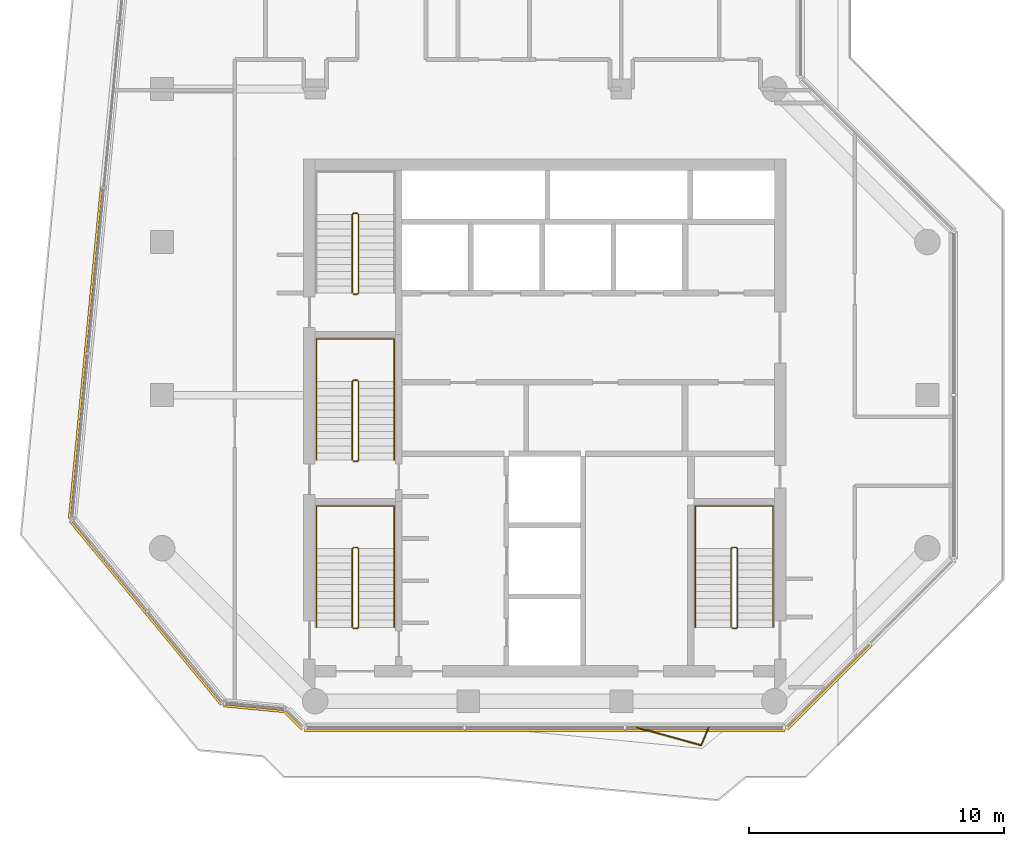
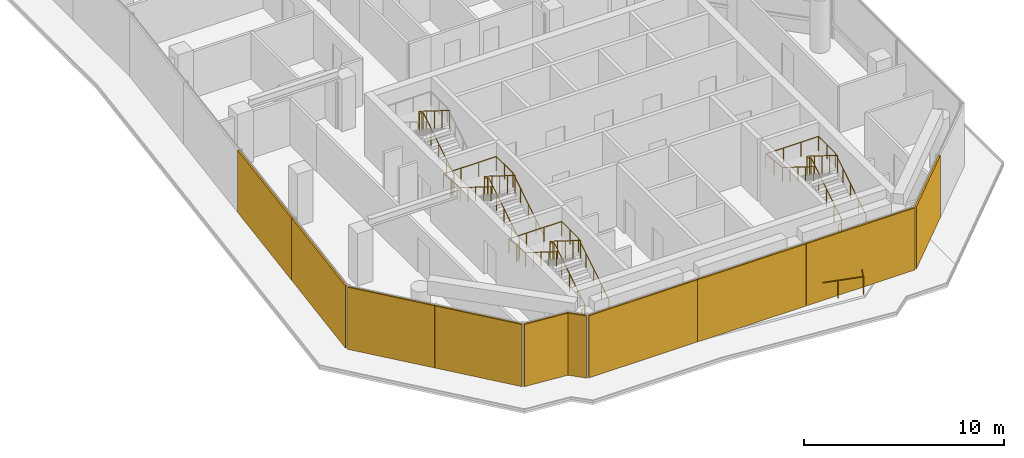
# One storey, part 12 of 13: 10 coverings, 8 railings.
"""IFC4 building model written with IfcOpenShell, lengths in metres."""

import ifcopenshell
import ifcopenshell.guid

model = None  # the IFC model being written
_history = None  # IfcOwnerHistory: only IFC2X3 demands one
_inside = {}  # id of a spatial element -> (the spatial element, [elements in it])
_under = {}  # id of a project, library or spatial element -> (it, [spatial elements below it])
_declared = {}  # id of a project -> (the project, [libraries it declares])
_typed = {}  # id of a type object -> (the type object, [elements of that type])
_made_of = {}  # id of a material, layer set ... -> (it, [elements and type objects made of it])


def new_model(schema):
    """Start an empty IFC model of exactly this schema.

    Asked for "IFC4X3", IfcOpenShell would pick the latest addendum, in which some entities
    have other attributes; the version numbers below select the first issue.
    IFC2X3 requires an IfcOwnerHistory on every rooted entity: one is made here for all.
    """
    global model, _history
    if schema == "IFC4X3":
        model = ifcopenshell.file(schema_version=(4, 3, 0, 0))
    else:
        model = ifcopenshell.file(schema=schema)
    _inside.clear()
    _under.clear()
    _declared.clear()
    _typed.clear()
    _made_of.clear()
    _history = None
    if model.schema == "IFC2X3":
        org = make("IfcOrganization", Name="unknown")
        user = make(
            "IfcPersonAndOrganization",
            ThePerson=make("IfcPerson", FamilyName="unknown"),
            TheOrganization=org,
        )
        app = make(
            "IfcApplication",
            ApplicationDeveloper=org,
            Version="unknown",
            ApplicationFullName="unknown",
            ApplicationIdentifier="unknown",
        )
        _history = make(
            "IfcOwnerHistory",
            OwningUser=user,
            OwningApplication=app,
            ChangeAction="ADDED",
            CreationDate=0,
        )
    return model


def make(cls, **values):
    """One entity of the class cls with the attributes given. An attribute that is None is left unset."""
    return model.create_entity(
        cls, **{name: value for name, value in values.items() if value is not None}
    )


def rooted(cls, **values):
    """An entity with a GlobalId (a new one), such as an element, a storey or a relation."""
    return make(cls, GlobalId=ifcopenshell.guid.new(), OwnerHistory=_history, **values)


def si_unit(unit_type, name, prefix=None):
    """IfcSIUnit, for example si_unit("LENGTHUNIT", "METRE", prefix="MILLI")."""
    return make("IfcSIUnit", UnitType=unit_type, Prefix=prefix, Name=name)


def assignment(units):
    """IfcUnitAssignment: the units of a project."""
    return None if units is None else make("IfcUnitAssignment", Units=units)


def point(xyz):
    """IfcCartesianPoint."""
    return None if xyz is None else make("IfcCartesianPoint", Coordinates=xyz)


def direction(xyz):
    """IfcDirection."""
    return None if xyz is None else make("IfcDirection", DirectionRatios=xyz)


def frame(location, z_axis=None, x_axis=None):
    """IfcAxis2Placement3D, a coordinate frame: its origin and axes. An axis left out is left unset."""
    return make(
        "IfcAxis2Placement3D",
        Location=point(location),
        Axis=direction(z_axis),
        RefDirection=direction(x_axis),
    )


def frame_2d(location, x_axis=None):
    """IfcAxis2Placement2D, a coordinate frame in the plane: its origin and x axis."""
    return make(
        "IfcAxis2Placement2D", Location=point(location), RefDirection=direction(x_axis)
    )


def origin():
    """The frame at (0, 0, 0) with its axes left unset."""
    return frame((0.0, 0.0, 0.0))


def origin_2d():
    """The frame at (0, 0) in the plane with its x axis left unset."""
    return frame_2d((0.0, 0.0))


def place(relative_to, where):
    """IfcLocalPlacement: puts the frame where relative to a parent placement (None: the world)."""
    return make(
        "IfcLocalPlacement", PlacementRelTo=relative_to, RelativePlacement=where
    )


def context(
    kind, dimensions, precision=None, world=None, true_north=None, identifier=None
):
    """IfcGeometricRepresentationContext, for example the 3D "Model" context."""
    return make(
        "IfcGeometricRepresentationContext",
        ContextIdentifier=identifier,
        ContextType=kind,
        CoordinateSpaceDimension=dimensions,
        Precision=precision,
        WorldCoordinateSystem=world,
        TrueNorth=true_north,
    )


def subcontext(parent, identifier, kind, view, scale=None):
    """IfcGeometricRepresentationSubContext, for example "Body" below "Model"."""
    return make(
        "IfcGeometricRepresentationSubContext",
        ContextIdentifier=identifier,
        ContextType=kind,
        ParentContext=parent,
        TargetScale=scale,
        TargetView=view,
    )


def project(units=None, contexts=None):
    """IfcProject with its units and contexts."""
    return rooted(
        "IfcProject",
        Name="project",
        RepresentationContexts=contexts,
        UnitsInContext=assignment(units),
    )


def spatial(cls, under=None, at=None, **own):
    """A site, building, storey or space (cls), placed at a placement, below another one or the project."""
    s = rooted(cls, ObjectPlacement=at, **own)
    if under is not None:
        _under.setdefault(under.id(), (under, []))[1].append(s)
    return s


def profile(cls, at=None, kind="AREA", **sizes):
    """A parametric profile (cls). Its sizes go by their IFC names, for example OverallWidth=200.0."""
    return make(cls, ProfileType=kind, Position=at, **sizes)


def rectangle(**sizes):
    """IfcRectangleProfileDef."""
    return profile("IfcRectangleProfileDef", **sizes)


def circle(**sizes):
    """IfcCircleProfileDef."""
    return profile("IfcCircleProfileDef", **sizes)


def extrude(swept, where, along, depth):
    """IfcExtrudedAreaSolid: the profile swept, set in the frame where, extruded along a direction by depth."""
    return make(
        "IfcExtrudedAreaSolid",
        SweptArea=swept,
        Position=where,
        ExtrudedDirection=direction(along),
        Depth=depth,
    )


def shape(context_of_items, identifier, shape_type, items):
    """IfcShapeRepresentation: the items that make up one representation, for example the "Body"."""
    return make(
        "IfcShapeRepresentation",
        ContextOfItems=context_of_items,
        RepresentationIdentifier=identifier,
        RepresentationType=shape_type,
        Items=items,
    )


def material(Name=None, Category=None):
    """IfcMaterial."""
    return make("IfcMaterial", Name=Name, Category=Category)


def layer(
    of_material, thickness, ventilated=None, Name=None, Category=None, Priority=None
):
    """IfcMaterialLayer: one layer of a wall or slab, of a material (None: an air gap)."""
    return make(
        "IfcMaterialLayer",
        Material=of_material,
        LayerThickness=thickness,
        IsVentilated=ventilated,
        Name=Name,
        Category=Category,
        Priority=Priority,
    )


def layer_set(layers, Name=None):
    """IfcMaterialLayerSet."""
    return make("IfcMaterialLayerSet", MaterialLayers=layers, LayerSetName=Name)


def made_of(thing, what):
    """Note that an element or type object is made of a material, layer set ...; save() writes the relation."""
    if what is not None:
        _made_of.setdefault(what.id(), (what, []))[1].append(thing)
    return thing


def type_object(cls, material=None, **own):
    """A type object (cls), such as IfcWallType, which elements share."""
    return made_of(rooted(cls, **own), material)


def element(
    cls,
    number,
    at=None,
    inside=None,
    cuts=None,
    type_object=None,
    material=None,
    context=None,
    identifier="Body",
    shape_type=None,
    held_by="IfcProductDefinitionShape",
    body=None,
    shapes=None,
    **own,
):
    """One element of the class cls, such as IfcWall. Its Tag is "e" and its number.

    at: its placement. inside: the storey or other place that contains it. cuts: it is an
    opening in that element (IfcRelVoidsElement). A single representation is given by context,
    identifier, shape_type and body (its items); several are given by shapes. held_by: the class
    of the entity that holds the representations. save() writes the other relations.
    """
    e = rooted(cls, Tag="e%d" % number, ObjectPlacement=at, **own)
    if body is not None:
        shapes = [shape(context, identifier, shape_type, body)]
    if shapes is not None:
        e.Representation = make(held_by, Representations=shapes)
    if inside is not None:
        _inside.setdefault(inside.id(), (inside, []))[1].append(e)
    if cuts is not None:
        rooted(
            "IfcRelVoidsElement", RelatingBuildingElement=cuts, RelatedOpeningElement=e
        )
    if type_object is not None:
        _typed.setdefault(type_object.id(), (type_object, []))[1].append(e)
    return made_of(e, material)


def aggregate(whole, parts):
    """IfcRelAggregates: a whole, such as a stair, and the parts it consists of."""
    return rooted("IfcRelAggregates", RelatingObject=whole, RelatedObjects=parts)


def save(model, path):
    """Write the relations noted so far, then the file.

    IfcRelAggregates (storeys below a building ...), IfcRelContainedInSpatialStructure (elements
    in a storey), IfcRelDefinesByType, IfcRelAssociatesMaterial and IfcRelDeclares: one each for
    every whole, place, type object, material and project.
    """
    for whole, parts in _under.values():
        aggregate(whole, parts)
    for where, things in _inside.values():
        rooted(
            "IfcRelContainedInSpatialStructure",
            RelatedElements=things,
            RelatingStructure=where,
        )
    for kind, things in _typed.values():
        rooted("IfcRelDefinesByType", RelatedObjects=things, RelatingType=kind)
    for what, things in _made_of.values():
        rooted("IfcRelAssociatesMaterial", RelatedObjects=things, RelatingMaterial=what)
    for by, libraries in _declared.values():
        rooted("IfcRelDeclares", RelatingContext=by, RelatedDefinitions=libraries)
    model.write(path)


model = new_model("IFC4")

# Units and contexts
model_context = context("Model", 3, precision=1e-05, world=origin(), true_north=direction((0.0, 1.0)))
body_context = subcontext(model_context, "Body", "Model", "MODEL_VIEW")
ifc_project = project(units=[si_unit("LENGTHUNIT", "METRE"), si_unit("AREAUNIT", "SQUARE_METRE"), si_unit("VOLUMEUNIT", "CUBIC_METRE"), si_unit("PLANEANGLEUNIT", "RADIAN"), si_unit("MASSUNIT", "GRAM", prefix="KILO")], contexts=[model_context])

# Site, building, storey
site_placement = place(None, origin())
site = spatial("IfcSite", under=ifc_project, at=site_placement, CompositionType="ELEMENT")
building_placement = place(site_placement, origin())
building = spatial("IfcBuilding", under=site, at=building_placement, Name="Welwitschia Terrace Campus", CompositionType="ELEMENT")
storey_placement = place(building_placement, frame((0.0, 0.0, 251.60009765625)))
storey = spatial("IfcBuildingStorey", under=building, at=storey_placement, Name="L56", CompositionType="ELEMENT", Elevation=251.60009765625)

# Coverings
ifc_material_1 = material(Name="Bronze mesh aluminium screen", Category="aluminium")
ifc_layer = layer(ifc_material_1, 0.090087890625)
ifc_layer_set = layer_set([ifc_layer], Name="Bronze mesh aluminium screen")
covering_type = type_object("IfcCoveringType", Name="Bronze screen 90 plant", PredefinedType="USERDEFINED", material=ifc_layer_set)
for number, where, z_axis, x_axis, name in (
    (1, (-2.697509765625, 20.885009765625, 0.0), (0.0, 0.0, 1.0), (-0.09584575252, -0.995396198367, 0.0), "Screen L56.1.2"),
    (2, (-3.322998046875, 14.3916015625, 0.0), (0.0, 0.0, 1.0), (-0.09584575252, -0.995396198367, 0.0), "Screen L56.1.3"),
):
    element("IfcCovering", number, at=place(storey_placement, frame(where, z_axis=z_axis, x_axis=x_axis)), inside=storey, type_object=covering_type, Name=name, ObjectType="SCREEN", PredefinedType="USERDEFINED", context=body_context, shape_type="SweptSolid", body=[
        extrude(rectangle(XDim=6.50341796875, YDim=0.090087890625, at=origin_2d()), origin(), (0.0, 0.0, 1.0), 3.800048828125),
    ])
for number, where, z_axis, x_axis, name in (
    (3, (-2.126953125, 9.2666015625, 0.0), (0.0, 0.0, 1.0), (0.636078220278, -0.771624583388, 0.0), "Screen L56.2.0"),
    (4, (0.843017578125, 5.66357421875, 0.0), (0.0, 0.0, 1.0), (0.636078220278, -0.771624583388, 0.0), "Screen L56.2.1"),
):
    element("IfcCovering", number, at=place(storey_placement, frame(where, z_axis=z_axis, x_axis=x_axis)), inside=storey, type_object=covering_type, Name=name, ObjectType="SCREEN", PredefinedType="USERDEFINED", context=body_context, shape_type="SweptSolid", body=[
        extrude(rectangle(XDim=4.6494140625, YDim=0.090087890625, at=origin_2d()), origin(), (0.0, 0.0, 1.0), 3.800048828125),
    ])
covering_1_placement = place(storey_placement, frame((3.619140625, 3.706787109375, 0.0), z_axis=(0.0, 0.0, 1.0), x_axis=(0.995396198367, -0.09584575252, 0.0)))
element("IfcCovering", 5, at=covering_1_placement, inside=storey, type_object=covering_type, Name="Screen L56.3.0", ObjectType="SCREEN", PredefinedType="USERDEFINED", context=body_context, shape_type="SweptSolid", body=[
    extrude(rectangle(XDim=2.431640625, YDim=0.090087890625, at=origin_2d()), origin(), (0.0, 0.0, 1.0), 3.800048828125),
])
covering_2_placement = place(storey_placement, frame((5.13720703125, 3.2578125, 0.0), z_axis=(0.0, 0.0, 1.0), x_axis=(0.707106781187, -0.707106781187, 0.0)))
element("IfcCovering", 6, at=covering_2_placement, inside=storey, type_object=covering_type, Name="Screen L56.4.0", ObjectType="SCREEN", PredefinedType="USERDEFINED", context=body_context, shape_type="SweptSolid", body=[
    extrude(rectangle(XDim=1.00390625, YDim=0.090087890625, at=origin_2d()), origin(), (0.0, 0.0, 1.0), 3.800048828125),
])
for number, where, z_axis, x_axis, name in (
    (7, (8.715576171875, 2.864990234375, 0.0), (0.0, 0.0, 1.0), (1.0, 0.0, 0.0), "Screen L56.5.0"),
    (8, (15.0, 2.864990234375, 0.0), (0.0, 0.0, 1.0), (1.0, 0.0, 0.0), "Screen L56.5.1"),
    (9, (21.284423828125, 2.864990234375, 0.0), (0.0, 0.0, 1.0), (1.0, 0.0, 0.0), "Screen L56.5.2"),
):
    element("IfcCovering", number, at=place(storey_placement, frame(where, z_axis=z_axis, x_axis=x_axis)), inside=storey, type_object=covering_type, Name=name, ObjectType="SCREEN", PredefinedType="USERDEFINED", context=body_context, shape_type="SweptSolid", body=[
        extrude(rectangle(XDim=6.264404296875, YDim=0.090087890625, at=origin_2d()), origin(), (0.0, 0.0, 1.0), 3.800048828125),
    ])
covering_3_placement = place(storey_placement, frame((26.151611328125, 4.546630859375, 0.0), z_axis=(0.0, 0.0, 1.0), x_axis=(0.707106781187, 0.707106781187, 0.0)))
element("IfcCovering", 10, at=covering_3_placement, inside=storey, type_object=covering_type, Name="Screen L56.6.0", ObjectType="SCREEN", PredefinedType="USERDEFINED", context=body_context, shape_type="SweptSolid", body=[
    extrude(rectangle(XDim=4.6494140625, YDim=0.090087890625, at=origin_2d()), origin(), (0.0, 0.0, 1.0), 3.800048828125),
])

# Railings
ifc_material_2 = material(Name="Stainless steel grade 316", Category="steel")
railing_type_1 = type_object("IfcRailingType", Name="Guard 1100", PredefinedType="GUARDRAIL", material=ifc_material_2)
railing_1_placement = place(storey_placement, frame((21.422607421875, 2.969970703125, 0.0)))
element("IfcRailing", 11, at=railing_1_placement, inside=storey, type_object=railing_type_1, Name="Guard floor edge L56.1", PredefinedType="GUARDRAIL", context=body_context, shape_type="SweptSolid", body=[
    extrude(circle(Radius=0.02392578125, at=origin_2d()), frame((0.0, 0.0, 1.076171875), z_axis=(-0.39109943787, -0.920348428421, 0.0), x_axis=(0.920348428421, -0.39109943787, 0.0)), (0.0, 0.0, 1.0), 0.7529296875),
    extrude(circle(Radius=0.02392578125, at=origin_2d()), frame((-0.29443359375, -0.69287109375, 1.076171875), z_axis=(-0.964270993401, 0.264917819871, 0.0), x_axis=(-0.264917819871, -0.964270993401, 0.0)), (0.0, 0.0, 1.0), 2.615478515625),
    extrude(circle(Radius=0.02099609375, at=origin_2d()), origin(), (0.0, 0.0, 1.0), 1.052001953125),
    extrude(circle(Radius=0.02099609375, at=origin_2d()), frame((-0.29443359375, -0.69287109375, 0.0)), (0.0, 0.0, 1.0), 1.052001953125),
    extrude(circle(Radius=0.02099609375, at=origin_2d()), frame((-1.555419921875, -0.346435546875, 0.0)), (0.0, 0.0, 1.0), 1.052001953125),
    extrude(circle(Radius=0.02099609375, at=origin_2d()), frame((-2.81640625, 0.0, 0.0)), (0.0, 0.0, 1.0), 1.052001953125),
])
ifc_material_3 = material(Name="Steel S355", Category="steel")
railing_type_2 = type_object("IfcRailingType", Name="Stair guard 1100", PredefinedType="GUARDRAIL", material=ifc_material_3)
railing_2_placement = place(storey_placement, frame((7.5, 6.85009765625, 0.0)))
element("IfcRailing", 12, at=railing_2_placement, inside=storey, type_object=railing_type_2, Name="L56 S1 stair guard", PredefinedType="GUARDRAIL", context=body_context, shape_type="SweptSolid", body=[
    extrude(circle(Radius=0.02392578125, at=origin_2d()), frame((0.0, 0.0, 1.076171875), z_axis=(1.0, 0.0, 0.0), x_axis=(0.0, 1.0, 0.0)), (0.0, 0.0, 1.0), 0.14990234375),
    extrude(circle(Radius=0.02392578125, at=origin_2d()), frame((0.14990234375, 0.0, 1.076171875), z_axis=(0.265474339444, 0.264179342666, 0.927217692888), x_axis=(-0.705375805398, 0.708833529934, 0.0)), (0.0, 0.0, 1.0), 0.1884765625),
    extrude(circle(Radius=0.02392578125, at=origin_2d()), frame((0.199951171875, 0.0498046875, 1.2509765625), z_axis=(0.0, 0.847998304005, 0.529998940003), x_axis=(-1.0, 0.0, 0.0)), (0.0, 0.0, 1.0), 3.632080078125),
    extrude(circle(Radius=0.02392578125, at=origin_2d()), frame((0.199951171875, 3.1298828125, 3.17578125), z_axis=(-0.707106781187, 0.707106781187, 0.0), x_axis=(-0.707106781187, -0.707106781187, 0.0)), (0.0, 0.0, 1.0), 0.07080078125),
    extrude(circle(Radius=0.02392578125, at=origin_2d()), frame((0.14990234375, 3.179931640625, 3.17578125), z_axis=(-1.0, 0.0, 0.0), x_axis=(0.0, -1.0, 0.0)), (0.0, 0.0, 1.0), 0.14990234375),
    extrude(circle(Radius=0.02392578125, at=origin_2d()), frame((0.0, 3.179931640625, 3.17578125), z_axis=(-0.265065253269, -0.265065253269, 0.927081885822), x_axis=(0.707106781187, -0.707106781187, 0.0)), (0.0, 0.0, 1.0), 0.188720703125),
    extrude(circle(Radius=0.02392578125, at=origin_2d()), frame((-0.050048828125, 3.1298828125, 3.35107421875), z_axis=(0.0, -0.847998304005, 0.529998940003), x_axis=(1.0, 0.0, 0.0)), (0.0, 0.0, 1.0), 3.632080078125),
    extrude(circle(Radius=0.02099609375, at=origin_2d()), origin(), (0.0, 0.0, 1.0), 1.052001953125),
    extrude(circle(Radius=0.02099609375, at=origin_2d()), frame((0.14990234375, 0.0, 0.0)), (0.0, 0.0, 1.0), 1.052001953125),
    extrude(circle(Radius=0.02099609375, at=origin_2d()), frame((0.199951171875, 0.0498046875, 0.1748046875)), (0.0, 0.0, 1.0), 1.052001953125),
    extrude(circle(Radius=0.02099609375, at=origin_2d()), frame((0.199951171875, 0.81982421875, 0.656005859375)), (0.0, 0.0, 1.0), 1.052001953125),
    extrude(circle(Radius=0.02099609375, at=origin_2d()), frame((0.199951171875, 1.58984375, 1.13720703125)), (0.0, 0.0, 1.0), 1.052001953125),
    extrude(circle(Radius=0.02099609375, at=origin_2d()), frame((0.199951171875, 2.35986328125, 1.61865234375)), (0.0, 0.0, 1.0), 1.052001953125),
    extrude(circle(Radius=0.02099609375, at=origin_2d()), frame((0.199951171875, 3.1298828125, 2.099853515625)), (0.0, 0.0, 1.0), 1.052001953125),
    extrude(circle(Radius=0.02099609375, at=origin_2d()), frame((0.14990234375, 3.179931640625, 2.099853515625)), (0.0, 0.0, 1.0), 1.052001953125),
    extrude(circle(Radius=0.02099609375, at=origin_2d()), frame((0.0, 3.179931640625, 2.099853515625)), (0.0, 0.0, 1.0), 1.052001953125),
    extrude(circle(Radius=0.02099609375, at=origin_2d()), frame((-0.050048828125, 3.1298828125, 2.27490234375)), (0.0, 0.0, 1.0), 1.052001953125),
    extrude(circle(Radius=0.02099609375, at=origin_2d()), frame((-0.050048828125, 2.35986328125, 2.756103515625)), (0.0, 0.0, 1.0), 1.052001953125),
    extrude(circle(Radius=0.02099609375, at=origin_2d()), frame((-0.050048828125, 1.58984375, 3.2373046875)), (0.0, 0.0, 1.0), 1.052001953125),
    extrude(circle(Radius=0.02099609375, at=origin_2d()), frame((-0.050048828125, 0.81982421875, 3.71875)), (0.0, 0.0, 1.0), 1.052001953125),
    extrude(circle(Radius=0.02099609375, at=origin_2d()), frame((-0.050048828125, 0.0498046875, 4.199951171875)), (0.0, 0.0, 1.0), 1.052001953125),
])
railing_3_placement = place(storey_placement, frame((7.5, 13.39990234375, 0.0)))
element("IfcRailing", 13, at=railing_3_placement, inside=storey, type_object=railing_type_2, Name="L56 S3 stair guard", PredefinedType="GUARDRAIL", context=body_context, shape_type="SweptSolid", body=[
    extrude(circle(Radius=0.02392578125, at=origin_2d()), frame((0.0, 0.0, 1.076171875), z_axis=(1.0, 0.0, 0.0), x_axis=(0.0, 1.0, 0.0)), (0.0, 0.0, 1.0), 0.14990234375),
    extrude(circle(Radius=0.02392578125, at=origin_2d()), frame((0.14990234375, 0.0, 1.076171875), z_axis=(0.265383341853, 0.265383341853, 0.926899867156), x_axis=(-0.707106781187, 0.707106781187, 0.0)), (0.0, 0.0, 1.0), 0.1884765625),
    extrude(circle(Radius=0.02392578125, at=origin_2d()), frame((0.199951171875, 0.050048828125, 1.2509765625), z_axis=(0.0, 0.847998304005, 0.529998940003), x_axis=(-1.0, 0.0, 0.0)), (0.0, 0.0, 1.0), 3.632080078125),
    extrude(circle(Radius=0.02392578125, at=origin_2d()), frame((0.199951171875, 3.130126953125, 3.17578125), z_axis=(-0.707106781187, 0.707106781187, 0.0), x_axis=(-0.707106781187, -0.707106781187, 0.0)), (0.0, 0.0, 1.0), 0.07080078125),
    extrude(circle(Radius=0.02392578125, at=origin_2d()), frame((0.14990234375, 3.18017578125, 3.17578125), z_axis=(-1.0, 0.0, 0.0), x_axis=(0.0, -1.0, 0.0)), (0.0, 0.0, 1.0), 0.14990234375),
    extrude(circle(Radius=0.02392578125, at=origin_2d()), frame((0.0, 3.18017578125, 3.17578125), z_axis=(-0.265065253269, -0.265065253269, 0.927081885822), x_axis=(0.707106781187, -0.707106781187, 0.0)), (0.0, 0.0, 1.0), 0.188720703125),
    extrude(circle(Radius=0.02392578125, at=origin_2d()), frame((-0.050048828125, 3.130126953125, 3.35107421875), z_axis=(0.0, -0.847998304005, 0.529998940003), x_axis=(1.0, 0.0, 0.0)), (0.0, 0.0, 1.0), 3.632080078125),
    extrude(circle(Radius=0.02099609375, at=origin_2d()), origin(), (0.0, 0.0, 1.0), 1.052001953125),
    extrude(circle(Radius=0.02099609375, at=origin_2d()), frame((0.14990234375, 0.0, 0.0)), (0.0, 0.0, 1.0), 1.052001953125),
    extrude(circle(Radius=0.02099609375, at=origin_2d()), frame((0.199951171875, 0.050048828125, 0.1748046875)), (0.0, 0.0, 1.0), 1.052001953125),
    extrude(circle(Radius=0.02099609375, at=origin_2d()), frame((0.199951171875, 0.820068359375, 0.656005859375)), (0.0, 0.0, 1.0), 1.052001953125),
    extrude(circle(Radius=0.02099609375, at=origin_2d()), frame((0.199951171875, 1.590087890625, 1.13720703125)), (0.0, 0.0, 1.0), 1.052001953125),
    extrude(circle(Radius=0.02099609375, at=origin_2d()), frame((0.199951171875, 2.360107421875, 1.61865234375)), (0.0, 0.0, 1.0), 1.052001953125),
    extrude(circle(Radius=0.02099609375, at=origin_2d()), frame((0.199951171875, 3.130126953125, 2.099853515625)), (0.0, 0.0, 1.0), 1.052001953125),
    extrude(circle(Radius=0.02099609375, at=origin_2d()), frame((0.14990234375, 3.18017578125, 2.099853515625)), (0.0, 0.0, 1.0), 1.052001953125),
    extrude(circle(Radius=0.02099609375, at=origin_2d()), frame((0.0, 3.18017578125, 2.099853515625)), (0.0, 0.0, 1.0), 1.052001953125),
    extrude(circle(Radius=0.02099609375, at=origin_2d()), frame((-0.050048828125, 3.130126953125, 2.27490234375)), (0.0, 0.0, 1.0), 1.052001953125),
    extrude(circle(Radius=0.02099609375, at=origin_2d()), frame((-0.050048828125, 2.360107421875, 2.756103515625)), (0.0, 0.0, 1.0), 1.052001953125),
    extrude(circle(Radius=0.02099609375, at=origin_2d()), frame((-0.050048828125, 1.590087890625, 3.2373046875)), (0.0, 0.0, 1.0), 1.052001953125),
    extrude(circle(Radius=0.02099609375, at=origin_2d()), frame((-0.050048828125, 0.820068359375, 3.71875)), (0.0, 0.0, 1.0), 1.052001953125),
    extrude(circle(Radius=0.02099609375, at=origin_2d()), frame((-0.050048828125, 0.050048828125, 4.199951171875)), (0.0, 0.0, 1.0), 1.052001953125),
])
railing_4_placement = place(storey_placement, frame((7.5, 19.949951171875, 0.0)))
element("IfcRailing", 14, at=railing_4_placement, inside=storey, type_object=railing_type_2, Name="L56 S4 stair guard", PredefinedType="GUARDRAIL", context=body_context, shape_type="SweptSolid", body=[
    extrude(circle(Radius=0.02392578125, at=origin_2d()), frame((0.0, 0.0, 1.076171875), z_axis=(1.0, 0.0, 0.0), x_axis=(0.0, 1.0, 0.0)), (0.0, 0.0, 1.0), 0.14990234375),
    extrude(circle(Radius=0.02392578125, at=origin_2d()), frame((0.14990234375, 0.0, 1.076171875), z_axis=(0.265383341853, 0.265383341853, 0.926899867156), x_axis=(-0.707106781187, 0.707106781187, 0.0)), (0.0, 0.0, 1.0), 0.1884765625),
    extrude(circle(Radius=0.02392578125, at=origin_2d()), frame((0.199951171875, 0.050048828125, 1.2509765625), z_axis=(0.0, 0.847998304005, 0.529998940003), x_axis=(-1.0, 0.0, 0.0)), (0.0, 0.0, 1.0), 3.632080078125),
    extrude(circle(Radius=0.02392578125, at=origin_2d()), frame((0.199951171875, 3.130126953125, 3.17578125), z_axis=(-0.708833529934, 0.705375805398, 0.0), x_axis=(-0.705375805398, -0.708833529934, 0.0)), (0.0, 0.0, 1.0), 0.070556640625),
    extrude(circle(Radius=0.02392578125, at=origin_2d()), frame((0.14990234375, 3.179931640625, 3.17578125), z_axis=(-1.0, 0.0, 0.0), x_axis=(0.0, -1.0, 0.0)), (0.0, 0.0, 1.0), 0.14990234375),
    extrude(circle(Radius=0.02392578125, at=origin_2d()), frame((0.0, 3.179931640625, 3.17578125), z_axis=(-0.265155923931, -0.263862480399, 0.927399011991), x_axis=(0.705375805398, -0.708833529934, 0.0)), (0.0, 0.0, 1.0), 0.188720703125),
    extrude(circle(Radius=0.02392578125, at=origin_2d()), frame((-0.050048828125, 3.130126953125, 3.35107421875), z_axis=(0.0, -0.847998304005, 0.529998940003), x_axis=(1.0, 0.0, 0.0)), (0.0, 0.0, 1.0), 3.632080078125),
    extrude(circle(Radius=0.02099609375, at=origin_2d()), origin(), (0.0, 0.0, 1.0), 1.052001953125),
    extrude(circle(Radius=0.02099609375, at=origin_2d()), frame((0.14990234375, 0.0, 0.0)), (0.0, 0.0, 1.0), 1.052001953125),
    extrude(circle(Radius=0.02099609375, at=origin_2d()), frame((0.199951171875, 0.050048828125, 0.1748046875)), (0.0, 0.0, 1.0), 1.052001953125),
    extrude(circle(Radius=0.02099609375, at=origin_2d()), frame((0.199951171875, 0.820068359375, 0.656005859375)), (0.0, 0.0, 1.0), 1.052001953125),
    extrude(circle(Radius=0.02099609375, at=origin_2d()), frame((0.199951171875, 1.590087890625, 1.13720703125)), (0.0, 0.0, 1.0), 1.052001953125),
    extrude(circle(Radius=0.02099609375, at=origin_2d()), frame((0.199951171875, 2.360107421875, 1.61865234375)), (0.0, 0.0, 1.0), 1.052001953125),
    extrude(circle(Radius=0.02099609375, at=origin_2d()), frame((0.199951171875, 3.130126953125, 2.099853515625)), (0.0, 0.0, 1.0), 1.052001953125),
    extrude(circle(Radius=0.02099609375, at=origin_2d()), frame((0.14990234375, 3.179931640625, 2.099853515625)), (0.0, 0.0, 1.0), 1.052001953125),
    extrude(circle(Radius=0.02099609375, at=origin_2d()), frame((0.0, 3.179931640625, 2.099853515625)), (0.0, 0.0, 1.0), 1.052001953125),
    extrude(circle(Radius=0.02099609375, at=origin_2d()), frame((-0.050048828125, 3.130126953125, 2.27490234375)), (0.0, 0.0, 1.0), 1.052001953125),
    extrude(circle(Radius=0.02099609375, at=origin_2d()), frame((-0.050048828125, 2.360107421875, 2.756103515625)), (0.0, 0.0, 1.0), 1.052001953125),
    extrude(circle(Radius=0.02099609375, at=origin_2d()), frame((-0.050048828125, 1.590087890625, 3.2373046875)), (0.0, 0.0, 1.0), 1.052001953125),
    extrude(circle(Radius=0.02099609375, at=origin_2d()), frame((-0.050048828125, 0.820068359375, 3.71875)), (0.0, 0.0, 1.0), 1.052001953125),
    extrude(circle(Radius=0.02099609375, at=origin_2d()), frame((-0.050048828125, 0.050048828125, 4.199951171875)), (0.0, 0.0, 1.0), 1.052001953125),
])
railing_5_placement = place(storey_placement, frame((22.35009765625, 6.85009765625, 0.0)))
element("IfcRailing", 15, at=railing_5_placement, inside=storey, type_object=railing_type_2, Name="L56 S2 stair guard", PredefinedType="GUARDRAIL", context=body_context, shape_type="SweptSolid", body=[
    extrude(circle(Radius=0.02392578125, at=origin_2d()), frame((0.0, 0.0, 1.076171875), z_axis=(1.0, 0.0, 0.0), x_axis=(0.0, 1.0, 0.0)), (0.0, 0.0, 1.0), 0.14990234375),
    extrude(circle(Radius=0.02392578125, at=origin_2d()), frame((0.14990234375, 0.0, 1.076171875), z_axis=(0.265474339444, 0.264179342666, 0.927217692888), x_axis=(-0.705375805398, 0.708833529934, 0.0)), (0.0, 0.0, 1.0), 0.1884765625),
    extrude(circle(Radius=0.02392578125, at=origin_2d()), frame((0.199951171875, 0.0498046875, 1.2509765625), z_axis=(0.0, 0.847998304005, 0.529998940003), x_axis=(-1.0, 0.0, 0.0)), (0.0, 0.0, 1.0), 3.632080078125),
    extrude(circle(Radius=0.02392578125, at=origin_2d()), frame((0.199951171875, 3.1298828125, 3.17578125), z_axis=(-0.707106781187, 0.707106781187, 0.0), x_axis=(-0.707106781187, -0.707106781187, 0.0)), (0.0, 0.0, 1.0), 0.07080078125),
    extrude(circle(Radius=0.02392578125, at=origin_2d()), frame((0.14990234375, 3.179931640625, 3.17578125), z_axis=(-1.0, 0.0, 0.0), x_axis=(0.0, -1.0, 0.0)), (0.0, 0.0, 1.0), 0.14990234375),
    extrude(circle(Radius=0.02392578125, at=origin_2d()), frame((0.0, 3.179931640625, 3.17578125), z_axis=(-0.265065253269, -0.265065253269, 0.927081885822), x_axis=(0.707106781187, -0.707106781187, 0.0)), (0.0, 0.0, 1.0), 0.188720703125),
    extrude(circle(Radius=0.02392578125, at=origin_2d()), frame((-0.050048828125, 3.1298828125, 3.35107421875), z_axis=(0.0, -0.847998304005, 0.529998940003), x_axis=(1.0, 0.0, 0.0)), (0.0, 0.0, 1.0), 3.632080078125),
    extrude(circle(Radius=0.02099609375, at=origin_2d()), origin(), (0.0, 0.0, 1.0), 1.052001953125),
    extrude(circle(Radius=0.02099609375, at=origin_2d()), frame((0.14990234375, 0.0, 0.0)), (0.0, 0.0, 1.0), 1.052001953125),
    extrude(circle(Radius=0.02099609375, at=origin_2d()), frame((0.199951171875, 0.0498046875, 0.1748046875)), (0.0, 0.0, 1.0), 1.052001953125),
    extrude(circle(Radius=0.02099609375, at=origin_2d()), frame((0.199951171875, 0.81982421875, 0.656005859375)), (0.0, 0.0, 1.0), 1.052001953125),
    extrude(circle(Radius=0.02099609375, at=origin_2d()), frame((0.199951171875, 1.58984375, 1.13720703125)), (0.0, 0.0, 1.0), 1.052001953125),
    extrude(circle(Radius=0.02099609375, at=origin_2d()), frame((0.199951171875, 2.35986328125, 1.61865234375)), (0.0, 0.0, 1.0), 1.052001953125),
    extrude(circle(Radius=0.02099609375, at=origin_2d()), frame((0.199951171875, 3.1298828125, 2.099853515625)), (0.0, 0.0, 1.0), 1.052001953125),
    extrude(circle(Radius=0.02099609375, at=origin_2d()), frame((0.14990234375, 3.179931640625, 2.099853515625)), (0.0, 0.0, 1.0), 1.052001953125),
    extrude(circle(Radius=0.02099609375, at=origin_2d()), frame((0.0, 3.179931640625, 2.099853515625)), (0.0, 0.0, 1.0), 1.052001953125),
    extrude(circle(Radius=0.02099609375, at=origin_2d()), frame((-0.050048828125, 3.1298828125, 2.27490234375)), (0.0, 0.0, 1.0), 1.052001953125),
    extrude(circle(Radius=0.02099609375, at=origin_2d()), frame((-0.050048828125, 2.35986328125, 2.756103515625)), (0.0, 0.0, 1.0), 1.052001953125),
    extrude(circle(Radius=0.02099609375, at=origin_2d()), frame((-0.050048828125, 1.58984375, 3.2373046875)), (0.0, 0.0, 1.0), 1.052001953125),
    extrude(circle(Radius=0.02099609375, at=origin_2d()), frame((-0.050048828125, 0.81982421875, 3.71875)), (0.0, 0.0, 1.0), 1.052001953125),
    extrude(circle(Radius=0.02099609375, at=origin_2d()), frame((-0.050048828125, 0.0498046875, 4.199951171875)), (0.0, 0.0, 1.0), 1.052001953125),
])
ifc_material_4 = material(Name="Steel S355", Category="steel")
railing_type_3 = type_object("IfcRailingType", Name="Stair handrail 900", PredefinedType="HANDRAIL", material=ifc_material_4)
railing_6_placement = place(storey_placement, frame((9.10009765625, 6.89990234375, 0.1748046875)))
element("IfcRailing", 16, at=railing_6_placement, inside=storey, type_object=railing_type_3, Name="L56 S1 stair handrail", PredefinedType="HANDRAIL", context=body_context, shape_type="SweptSolid", body=[
    extrude(circle(Radius=0.02392578125, at=origin_2d()), frame((0.0, 0.0, 0.8759765625), z_axis=(0.0, 0.847998304005, 0.529998940003), x_axis=(-1.0, 0.0, 0.0)), (0.0, 0.0, 1.0), 3.632080078125),
    extrude(circle(Radius=0.02392578125, at=origin_2d()), frame((0.0, 3.080078125, 2.80078125), z_axis=(0.0, 1.0, 0.0), x_axis=(-1.0, 0.0, 0.0)), (0.0, 0.0, 1.0), 1.669921875),
    extrude(circle(Radius=0.02392578125, at=origin_2d()), frame((0.0, 4.75, 2.80078125), z_axis=(-1.0, 0.0, 0.0), x_axis=(0.0, -1.0, 0.0)), (0.0, 0.0, 1.0), 3.050048828125),
    extrude(circle(Radius=0.02392578125, at=origin_2d()), frame((-3.050048828125, 4.75, 2.80078125), z_axis=(0.0, -0.99455077262, 0.104253348533), x_axis=(1.0, 0.0, 0.0)), (0.0, 0.0, 1.0), 1.678955078125),
    extrude(circle(Radius=0.02392578125, at=origin_2d()), frame((-3.050048828125, 3.080078125, 2.97607421875), z_axis=(0.0, -0.847998304005, 0.529998940003), x_axis=(1.0, 0.0, 0.0)), (0.0, 0.0, 1.0), 3.632080078125),
    extrude(circle(Radius=0.02099609375, at=origin_2d()), origin(), (0.0, 0.0, 1.0), 0.851806640625),
    extrude(circle(Radius=0.02099609375, at=origin_2d()), frame((0.0, 0.77001953125, 0.481201171875)), (0.0, 0.0, 1.0), 0.851806640625),
    extrude(circle(Radius=0.02099609375, at=origin_2d()), frame((0.0, 1.5400390625, 0.96240234375)), (0.0, 0.0, 1.0), 0.851806640625),
    extrude(circle(Radius=0.02099609375, at=origin_2d()), frame((0.0, 2.31005859375, 1.44384765625)), (0.0, 0.0, 1.0), 0.851806640625),
    extrude(circle(Radius=0.02099609375, at=origin_2d()), frame((0.0, 3.080078125, 1.925048828125)), (0.0, 0.0, 1.0), 0.851806640625),
    extrude(circle(Radius=0.02099609375, at=origin_2d()), frame((0.0, 3.9150390625, 1.925048828125)), (0.0, 0.0, 1.0), 0.851806640625),
    extrude(circle(Radius=0.02099609375, at=origin_2d()), frame((0.0, 4.75, 1.925048828125)), (0.0, 0.0, 1.0), 0.851806640625),
    extrude(circle(Radius=0.02099609375, at=origin_2d()), frame((-1.0166015625, 4.75, 1.925048828125)), (0.0, 0.0, 1.0), 0.851806640625),
    extrude(circle(Radius=0.02099609375, at=origin_2d()), frame((-2.033447265625, 4.75, 1.925048828125)), (0.0, 0.0, 1.0), 0.851806640625),
    extrude(circle(Radius=0.02099609375, at=origin_2d()), frame((-3.050048828125, 4.75, 1.925048828125)), (0.0, 0.0, 1.0), 0.851806640625),
    extrude(circle(Radius=0.02099609375, at=origin_2d()), frame((-3.050048828125, 3.9150390625, 2.0126953125)), (0.0, 0.0, 1.0), 0.851806640625),
    extrude(circle(Radius=0.02099609375, at=origin_2d()), frame((-3.050048828125, 3.080078125, 2.10009765625)), (0.0, 0.0, 1.0), 0.851806640625),
    extrude(circle(Radius=0.02099609375, at=origin_2d()), frame((-3.050048828125, 2.31005859375, 2.581298828125)), (0.0, 0.0, 1.0), 0.851806640625),
    extrude(circle(Radius=0.02099609375, at=origin_2d()), frame((-3.050048828125, 1.5400390625, 3.0625)), (0.0, 0.0, 1.0), 0.851806640625),
    extrude(circle(Radius=0.02099609375, at=origin_2d()), frame((-3.050048828125, 0.77001953125, 3.5439453125)), (0.0, 0.0, 1.0), 0.851806640625),
    extrude(circle(Radius=0.02099609375, at=origin_2d()), frame((-3.050048828125, 0.0, 4.025146484375)), (0.0, 0.0, 1.0), 0.851806640625),
])
railing_7_placement = place(storey_placement, frame((9.10009765625, 13.449951171875, 0.1748046875)))
element("IfcRailing", 17, at=railing_7_placement, inside=storey, type_object=railing_type_3, Name="L56 S3 stair handrail", PredefinedType="HANDRAIL", context=body_context, shape_type="SweptSolid", body=[
    extrude(circle(Radius=0.02392578125, at=origin_2d()), frame((0.0, 0.0, 0.8759765625), z_axis=(0.0, 0.847998304005, 0.529998940003), x_axis=(-1.0, 0.0, 0.0)), (0.0, 0.0, 1.0), 3.632080078125),
    extrude(circle(Radius=0.02392578125, at=origin_2d()), frame((0.0, 3.080078125, 2.80078125), z_axis=(0.0, 1.0, 0.0), x_axis=(-1.0, 0.0, 0.0)), (0.0, 0.0, 1.0), 1.669921875),
    extrude(circle(Radius=0.02392578125, at=origin_2d()), frame((0.0, 4.75, 2.80078125), z_axis=(-1.0, 0.0, 0.0), x_axis=(0.0, -1.0, 0.0)), (0.0, 0.0, 1.0), 3.050048828125),
    extrude(circle(Radius=0.02392578125, at=origin_2d()), frame((-3.050048828125, 4.75, 2.80078125), z_axis=(0.0, -0.99455077262, 0.104253348533), x_axis=(1.0, 0.0, 0.0)), (0.0, 0.0, 1.0), 1.678955078125),
    extrude(circle(Radius=0.02392578125, at=origin_2d()), frame((-3.050048828125, 3.080078125, 2.97607421875), z_axis=(0.0, -0.847998304005, 0.529998940003), x_axis=(1.0, 0.0, 0.0)), (0.0, 0.0, 1.0), 3.632080078125),
    extrude(circle(Radius=0.02099609375, at=origin_2d()), origin(), (0.0, 0.0, 1.0), 0.851806640625),
    extrude(circle(Radius=0.02099609375, at=origin_2d()), frame((0.0, 0.77001953125, 0.481201171875)), (0.0, 0.0, 1.0), 0.851806640625),
    extrude(circle(Radius=0.02099609375, at=origin_2d()), frame((0.0, 1.5400390625, 0.96240234375)), (0.0, 0.0, 1.0), 0.851806640625),
    extrude(circle(Radius=0.02099609375, at=origin_2d()), frame((0.0, 2.31005859375, 1.44384765625)), (0.0, 0.0, 1.0), 0.851806640625),
    extrude(circle(Radius=0.02099609375, at=origin_2d()), frame((0.0, 3.080078125, 1.925048828125)), (0.0, 0.0, 1.0), 0.851806640625),
    extrude(circle(Radius=0.02099609375, at=origin_2d()), frame((0.0, 3.9150390625, 1.925048828125)), (0.0, 0.0, 1.0), 0.851806640625),
    extrude(circle(Radius=0.02099609375, at=origin_2d()), frame((0.0, 4.75, 1.925048828125)), (0.0, 0.0, 1.0), 0.851806640625),
    extrude(circle(Radius=0.02099609375, at=origin_2d()), frame((-1.0166015625, 4.75, 1.925048828125)), (0.0, 0.0, 1.0), 0.851806640625),
    extrude(circle(Radius=0.02099609375, at=origin_2d()), frame((-2.033447265625, 4.75, 1.925048828125)), (0.0, 0.0, 1.0), 0.851806640625),
    extrude(circle(Radius=0.02099609375, at=origin_2d()), frame((-3.050048828125, 4.75, 1.925048828125)), (0.0, 0.0, 1.0), 0.851806640625),
    extrude(circle(Radius=0.02099609375, at=origin_2d()), frame((-3.050048828125, 3.9150390625, 2.0126953125)), (0.0, 0.0, 1.0), 0.851806640625),
    extrude(circle(Radius=0.02099609375, at=origin_2d()), frame((-3.050048828125, 3.080078125, 2.10009765625)), (0.0, 0.0, 1.0), 0.851806640625),
    extrude(circle(Radius=0.02099609375, at=origin_2d()), frame((-3.050048828125, 2.31005859375, 2.581298828125)), (0.0, 0.0, 1.0), 0.851806640625),
    extrude(circle(Radius=0.02099609375, at=origin_2d()), frame((-3.050048828125, 1.5400390625, 3.0625)), (0.0, 0.0, 1.0), 0.851806640625),
    extrude(circle(Radius=0.02099609375, at=origin_2d()), frame((-3.050048828125, 0.77001953125, 3.5439453125)), (0.0, 0.0, 1.0), 0.851806640625),
    extrude(circle(Radius=0.02099609375, at=origin_2d()), frame((-3.050048828125, 0.0, 4.025146484375)), (0.0, 0.0, 1.0), 0.851806640625),
])
railing_8_placement = place(storey_placement, frame((23.949951171875, 6.89990234375, 0.1748046875)))
element("IfcRailing", 18, at=railing_8_placement, inside=storey, type_object=railing_type_3, Name="L56 S2 stair handrail", PredefinedType="HANDRAIL", context=body_context, shape_type="SweptSolid", body=[
    extrude(circle(Radius=0.02392578125, at=origin_2d()), frame((0.0, 0.0, 0.8759765625), z_axis=(0.0, 0.847998304005, 0.529998940003), x_axis=(-1.0, 0.0, 0.0)), (0.0, 0.0, 1.0), 3.632080078125),
    extrude(circle(Radius=0.02392578125, at=origin_2d()), frame((0.0, 3.080078125, 2.80078125), z_axis=(0.0, 1.0, 0.0), x_axis=(-1.0, 0.0, 0.0)), (0.0, 0.0, 1.0), 1.669921875),
    extrude(circle(Radius=0.02392578125, at=origin_2d()), frame((0.0, 4.75, 2.80078125), z_axis=(-1.0, 0.0, 0.0), x_axis=(0.0, -1.0, 0.0)), (0.0, 0.0, 1.0), 3.050048828125),
    extrude(circle(Radius=0.02392578125, at=origin_2d()), frame((-3.050048828125, 4.75, 2.80078125), z_axis=(0.0, -0.99455077262, 0.104253348533), x_axis=(1.0, 0.0, 0.0)), (0.0, 0.0, 1.0), 1.678955078125),
    extrude(circle(Radius=0.02392578125, at=origin_2d()), frame((-3.050048828125, 3.080078125, 2.97607421875), z_axis=(0.0, -0.847998304005, 0.529998940003), x_axis=(1.0, 0.0, 0.0)), (0.0, 0.0, 1.0), 3.632080078125),
    extrude(circle(Radius=0.02099609375, at=origin_2d()), origin(), (0.0, 0.0, 1.0), 0.851806640625),
    extrude(circle(Radius=0.02099609375, at=origin_2d()), frame((0.0, 0.77001953125, 0.481201171875)), (0.0, 0.0, 1.0), 0.851806640625),
    extrude(circle(Radius=0.02099609375, at=origin_2d()), frame((0.0, 1.5400390625, 0.96240234375)), (0.0, 0.0, 1.0), 0.851806640625),
    extrude(circle(Radius=0.02099609375, at=origin_2d()), frame((0.0, 2.31005859375, 1.44384765625)), (0.0, 0.0, 1.0), 0.851806640625),
    extrude(circle(Radius=0.02099609375, at=origin_2d()), frame((0.0, 3.080078125, 1.925048828125)), (0.0, 0.0, 1.0), 0.851806640625),
    extrude(circle(Radius=0.02099609375, at=origin_2d()), frame((0.0, 3.9150390625, 1.925048828125)), (0.0, 0.0, 1.0), 0.851806640625),
    extrude(circle(Radius=0.02099609375, at=origin_2d()), frame((0.0, 4.75, 1.925048828125)), (0.0, 0.0, 1.0), 0.851806640625),
    extrude(circle(Radius=0.02099609375, at=origin_2d()), frame((-1.0166015625, 4.75, 1.925048828125)), (0.0, 0.0, 1.0), 0.851806640625),
    extrude(circle(Radius=0.02099609375, at=origin_2d()), frame((-2.033447265625, 4.75, 1.925048828125)), (0.0, 0.0, 1.0), 0.851806640625),
    extrude(circle(Radius=0.02099609375, at=origin_2d()), frame((-3.050048828125, 4.75, 1.925048828125)), (0.0, 0.0, 1.0), 0.851806640625),
    extrude(circle(Radius=0.02099609375, at=origin_2d()), frame((-3.050048828125, 3.9150390625, 2.0126953125)), (0.0, 0.0, 1.0), 0.851806640625),
    extrude(circle(Radius=0.02099609375, at=origin_2d()), frame((-3.050048828125, 3.080078125, 2.10009765625)), (0.0, 0.0, 1.0), 0.851806640625),
    extrude(circle(Radius=0.02099609375, at=origin_2d()), frame((-3.050048828125, 2.31005859375, 2.581298828125)), (0.0, 0.0, 1.0), 0.851806640625),
    extrude(circle(Radius=0.02099609375, at=origin_2d()), frame((-3.050048828125, 1.5400390625, 3.0625)), (0.0, 0.0, 1.0), 0.851806640625),
    extrude(circle(Radius=0.02099609375, at=origin_2d()), frame((-3.050048828125, 0.77001953125, 3.5439453125)), (0.0, 0.0, 1.0), 0.851806640625),
    extrude(circle(Radius=0.02099609375, at=origin_2d()), frame((-3.050048828125, 0.0, 4.025146484375)), (0.0, 0.0, 1.0), 0.851806640625),
])

save(model, "model.ifc")
